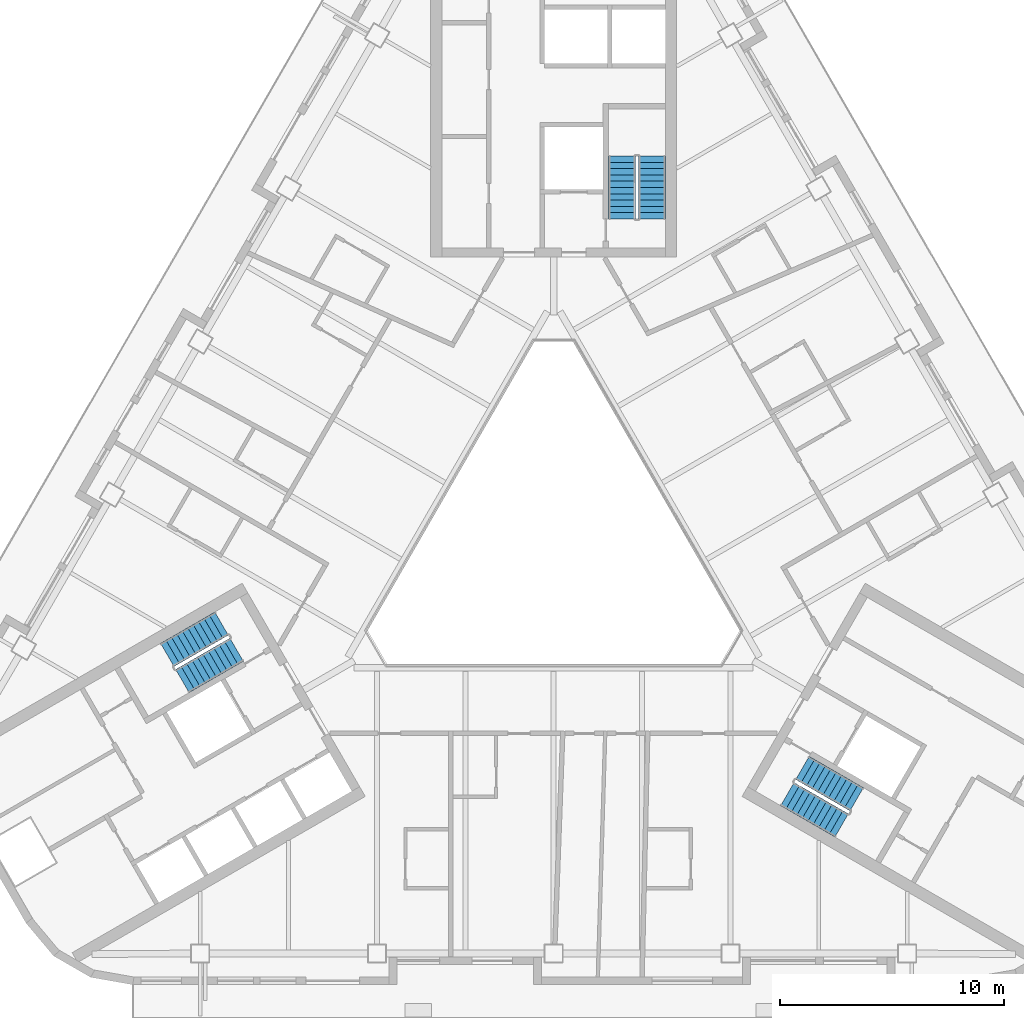
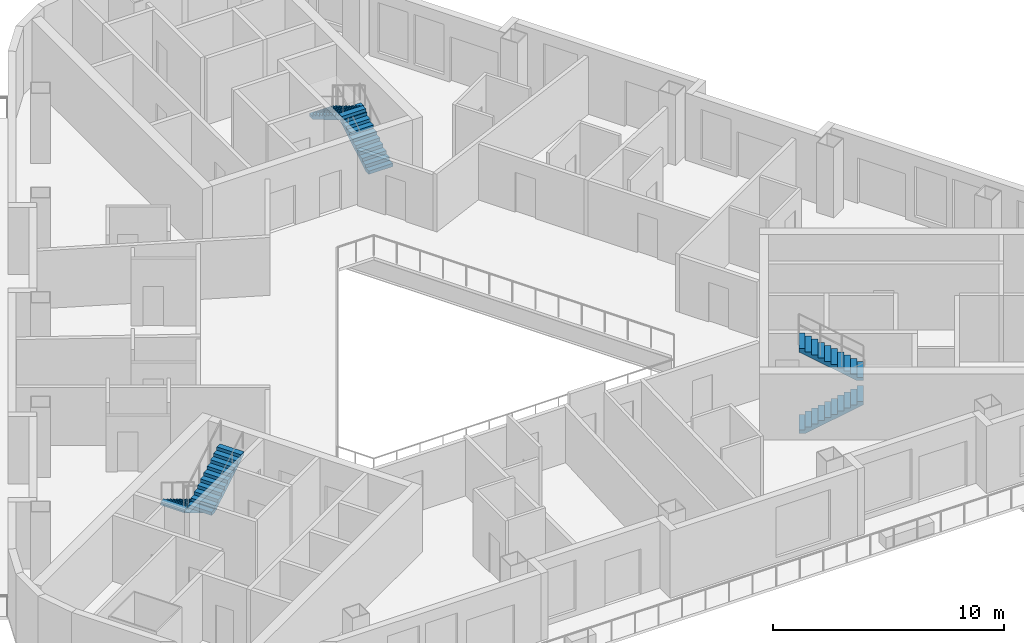
# One storey, part 8 of 14: 6 stair flights, 3 elements without a shape of their own.
"""IFC4 building model written with IfcOpenShell, lengths in metres."""

from ifc_helpers import new_model, si_unit, direction, frame, origin, place, context, subcontext, project, spatial, polyline, outline, extrude, material, type_object, element, aggregate, save


model = new_model("IFC4")

# Units and contexts
model_context = context("Model", 3, precision=1e-05, world=origin(), true_north=direction((0.0, 1.0)))
body_context = subcontext(model_context, "Body", "Model", "MODEL_VIEW")
ifc_project = project(units=[si_unit("LENGTHUNIT", "METRE"), si_unit("AREAUNIT", "SQUARE_METRE"), si_unit("VOLUMEUNIT", "CUBIC_METRE"), si_unit("PLANEANGLEUNIT", "RADIAN"), si_unit("MASSUNIT", "GRAM", prefix="KILO")], contexts=[model_context])

# Site, building, storey
site_placement = place(None, origin())
site = spatial("IfcSite", under=ifc_project, at=site_placement, CompositionType="ELEMENT")
building_placement = place(site_placement, origin())
building = spatial("IfcBuilding", under=site, at=building_placement, Name="Apuvela Tower Hotel", CompositionType="ELEMENT")
storey_placement = place(building_placement, frame((0.0, 0.0, 157.699951171875)))
storey = spatial("IfcBuildingStorey", under=building, at=storey_placement, Name="L37", CompositionType="ELEMENT", Elevation=157.699951171875)

# Stair, stair flights
ifc_material = material(Name="Concrete C50/60", Category="concrete")
stair_type = type_object("IfcStairType", Name="COR-STAIR-22R", PredefinedType="HALF_TURN_STAIR", material=ifc_material)
stair_1_placement = place(storey_placement, origin())
stair_1 = element("IfcStair", 1, at=stair_1_placement, inside=storey, type_object=stair_type, Name="L37 Exit stair ST1", PredefinedType="HALF_TURN_STAIR")
stair_flight_type = type_object("IfcStairFlightType", Name="COR-FLIGHT-11R", PredefinedType="STRAIGHT", material=ifc_material)
stair_flight_1_placement = place(storey_placement, frame((4.39990234375, 14.60009765625, 0.0), z_axis=(0.0, 0.0, 1.0), x_axis=(0.0, 1.0, 0.0)))
stair_flight_1 = element("IfcStairFlight", 2, at=stair_flight_1_placement, type_object=stair_flight_type, Name="ST1 flight 1", NumberOfRisers=11, NumberOfTreads=10, PredefinedType="STRAIGHT", RiserHeight=0.168181818, TreadLength=0.28, context=body_context, shape_type="SweptSolid", body=[
    extrude(outline(polyline([(0.0, 0.0), (0.0, 0.168212890625), (0.280029296875, 0.168212890625), (0.280029296875, 0.33642578125), (0.56005859375, 0.33642578125), (0.56005859375, 0.504638671875), (0.840087890625, 0.504638671875), (0.840087890625, 0.672607421875), (1.1201171875, 0.672607421875), (1.1201171875, 0.8408203125), (1.39990234375, 0.8408203125), (1.39990234375, 1.009033203125), (1.679931640625, 1.009033203125), (1.679931640625, 1.17724609375), (1.9599609375, 1.17724609375), (1.9599609375, 1.345458984375), (2.239990234375, 1.345458984375), (2.239990234375, 1.513671875), (2.52001953125, 1.513671875), (2.52001953125, 1.681884765625), (2.800048828125, 1.681884765625), (2.800048828125, 1.85009765625), (2.800048828125, 1.5068359375), (0.291015625, 0.0), (0.0, 0.0)])), frame((0.0, 0.60009765625, 0.0), z_axis=(0.0, -1.0, 0.0), x_axis=(1.0, 0.0, 0.0)), (0.0, 0.0, 1.0), 1.199951171875),
])
stair_flight_2_placement = place(storey_placement, frame((3.050048828125, 17.39990234375, 1.85009765625), z_axis=(0.0, 0.0, 1.0), x_axis=(0.0, -1.0, 0.0)))
stair_flight_2 = element("IfcStairFlight", 3, at=stair_flight_2_placement, type_object=stair_flight_type, Name="ST1 flight 2", NumberOfRisers=11, NumberOfTreads=10, PredefinedType="STRAIGHT", RiserHeight=0.168181818, TreadLength=0.28, context=body_context, shape_type="SweptSolid", body=[
    extrude(outline(polyline([(0.0, 0.0), (0.0, 0.168212890625), (0.280029296875, 0.168212890625), (0.280029296875, 0.33642578125), (0.56005859375, 0.33642578125), (0.56005859375, 0.504638671875), (0.840087890625, 0.504638671875), (0.840087890625, 0.672607421875), (1.1201171875, 0.672607421875), (1.1201171875, 0.8408203125), (1.39990234375, 0.8408203125), (1.39990234375, 1.009033203125), (1.679931640625, 1.009033203125), (1.679931640625, 1.17724609375), (1.9599609375, 1.17724609375), (1.9599609375, 1.345458984375), (2.239990234375, 1.345458984375), (2.239990234375, 1.513671875), (2.52001953125, 1.513671875), (2.52001953125, 1.681884765625), (2.800048828125, 1.681884765625), (2.800048828125, 1.85009765625), (2.800048828125, 1.5068359375), (0.291015625, 0.0), (0.0, 0.0)])), frame((0.0, 0.60009765625, 0.0), z_axis=(0.0, -1.0, 0.0), x_axis=(1.0, 0.0, 0.0)), (0.0, 0.0, 1.0), 1.199951171875),
])
aggregate(stair_1, [stair_flight_1, stair_flight_2])

stair_2_placement = place(storey_placement, origin())
stair_2 = element("IfcStair", 4, at=stair_2_placement, inside=storey, type_object=stair_type, Name="L37 Exit stair ST2", PredefinedType="HALF_TURN_STAIR")
stair_flight_3_placement = place(storey_placement, frame((-14.843994140625, -3.489501953125, 0.0), z_axis=(0.0, 0.0, 1.0), x_axis=(-0.866025403784, -0.5, 0.0)))
stair_flight_3 = element("IfcStairFlight", 5, at=stair_flight_3_placement, type_object=stair_flight_type, Name="ST2 flight 1", NumberOfRisers=11, NumberOfTreads=10, PredefinedType="STRAIGHT", RiserHeight=0.168181818, TreadLength=0.28, context=body_context, shape_type="SweptSolid", body=[
    extrude(outline(polyline([(0.0, 0.0), (0.0, 0.168212890625), (0.280029296875, 0.168212890625), (0.280029296875, 0.33642578125), (0.56005859375, 0.33642578125), (0.56005859375, 0.504638671875), (0.840087890625, 0.504638671875), (0.840087890625, 0.672607421875), (1.1201171875, 0.672607421875), (1.1201171875, 0.8408203125), (1.39990234375, 0.8408203125), (1.39990234375, 1.009033203125), (1.679931640625, 1.009033203125), (1.679931640625, 1.17724609375), (1.9599609375, 1.17724609375), (1.9599609375, 1.345458984375), (2.239990234375, 1.345458984375), (2.239990234375, 1.513671875), (2.52001953125, 1.513671875), (2.52001953125, 1.681884765625), (2.800048828125, 1.681884765625), (2.800048828125, 1.85009765625), (2.800048828125, 1.5068359375), (0.291015625, 0.0), (0.0, 0.0)])), frame((0.0, 0.60009765625, 0.0), z_axis=(0.0, -1.0, 0.0), x_axis=(1.0, 0.0, 0.0)), (0.0, 0.0, 1.0), 1.199951171875),
])
stair_flight_4_placement = place(storey_placement, frame((-16.59375, -6.05859375, 1.85009765625), z_axis=(0.0, 0.0, 1.0), x_axis=(0.866025403784, 0.5, 0.0)))
stair_flight_4 = element("IfcStairFlight", 6, at=stair_flight_4_placement, type_object=stair_flight_type, Name="ST2 flight 2", NumberOfRisers=11, NumberOfTreads=10, PredefinedType="STRAIGHT", RiserHeight=0.168181818, TreadLength=0.28, context=body_context, shape_type="SweptSolid", body=[
    extrude(outline(polyline([(0.0, 0.0), (0.0, 0.168212890625), (0.280029296875, 0.168212890625), (0.280029296875, 0.33642578125), (0.56005859375, 0.33642578125), (0.56005859375, 0.504638671875), (0.840087890625, 0.504638671875), (0.840087890625, 0.672607421875), (1.1201171875, 0.672607421875), (1.1201171875, 0.8408203125), (1.39990234375, 0.8408203125), (1.39990234375, 1.009033203125), (1.679931640625, 1.009033203125), (1.679931640625, 1.17724609375), (1.9599609375, 1.17724609375), (1.9599609375, 1.345458984375), (2.239990234375, 1.345458984375), (2.239990234375, 1.513671875), (2.52001953125, 1.513671875), (2.52001953125, 1.681884765625), (2.800048828125, 1.681884765625), (2.800048828125, 1.85009765625), (2.800048828125, 1.5068359375), (0.291015625, 0.0), (0.0, 0.0)])), frame((0.0, 0.60009765625, 0.0), z_axis=(0.0, -1.0, 0.0), x_axis=(1.0, 0.0, 0.0)), (0.0, 0.0, 1.0), 1.199951171875),
])
aggregate(stair_2, [stair_flight_3, stair_flight_4])

stair_3_placement = place(storey_placement, origin())
stair_3 = element("IfcStair", 7, at=stair_3_placement, inside=storey, type_object=stair_type, Name="L37 Exit stair ST3", PredefinedType="HALF_TURN_STAIR")
stair_flight_5_placement = place(storey_placement, frame((10.444091796875, -11.110595703125, 0.0), z_axis=(0.0, 0.0, 1.0), x_axis=(0.866025403784, -0.5, 0.0)))
stair_flight_5 = element("IfcStairFlight", 8, at=stair_flight_5_placement, type_object=stair_flight_type, Name="ST3 flight 1", NumberOfRisers=11, NumberOfTreads=10, PredefinedType="STRAIGHT", RiserHeight=0.168181818, TreadLength=0.28, context=body_context, shape_type="SweptSolid", body=[
    extrude(outline(polyline([(0.0, 0.0), (0.0, 0.168212890625), (0.280029296875, 0.168212890625), (0.280029296875, 0.33642578125), (0.56005859375, 0.33642578125), (0.56005859375, 0.504638671875), (0.840087890625, 0.504638671875), (0.840087890625, 0.672607421875), (1.1201171875, 0.672607421875), (1.1201171875, 0.8408203125), (1.39990234375, 0.8408203125), (1.39990234375, 1.009033203125), (1.679931640625, 1.009033203125), (1.679931640625, 1.17724609375), (1.9599609375, 1.17724609375), (1.9599609375, 1.345458984375), (2.239990234375, 1.345458984375), (2.239990234375, 1.513671875), (2.52001953125, 1.513671875), (2.52001953125, 1.681884765625), (2.800048828125, 1.681884765625), (2.800048828125, 1.85009765625), (2.800048828125, 1.5068359375), (0.291015625, 0.0), (0.0, 0.0)])), frame((0.0, 0.60009765625, 0.0), z_axis=(0.0, -1.0, 0.0), x_axis=(1.0, 0.0, 0.0)), (0.0, 0.0, 1.0), 1.199951171875),
])
stair_flight_6_placement = place(storey_placement, frame((13.5439453125, -11.34130859375, 1.85009765625), z_axis=(0.0, 0.0, 1.0), x_axis=(-0.866025403784, 0.5, 0.0)))
stair_flight_6 = element("IfcStairFlight", 9, at=stair_flight_6_placement, type_object=stair_flight_type, Name="ST3 flight 2", NumberOfRisers=11, NumberOfTreads=10, PredefinedType="STRAIGHT", RiserHeight=0.168181818, TreadLength=0.28, context=body_context, shape_type="SweptSolid", body=[
    extrude(outline(polyline([(0.0, 0.0), (0.0, 0.168212890625), (0.280029296875, 0.168212890625), (0.280029296875, 0.33642578125), (0.56005859375, 0.33642578125), (0.56005859375, 0.504638671875), (0.840087890625, 0.504638671875), (0.840087890625, 0.672607421875), (1.1201171875, 0.672607421875), (1.1201171875, 0.8408203125), (1.39990234375, 0.8408203125), (1.39990234375, 1.009033203125), (1.679931640625, 1.009033203125), (1.679931640625, 1.17724609375), (1.9599609375, 1.17724609375), (1.9599609375, 1.345458984375), (2.239990234375, 1.345458984375), (2.239990234375, 1.513671875), (2.52001953125, 1.513671875), (2.52001953125, 1.681884765625), (2.800048828125, 1.681884765625), (2.800048828125, 1.85009765625), (2.800048828125, 1.5068359375), (0.291015625, 0.0), (0.0, 0.0)])), frame((0.0, 0.60009765625, 0.0), z_axis=(0.0, -1.0, 0.0), x_axis=(1.0, 0.0, 0.0)), (0.0, 0.0, 1.0), 1.199951171875),
])
aggregate(stair_3, [stair_flight_5, stair_flight_6])

save(model, "model.ifc")
